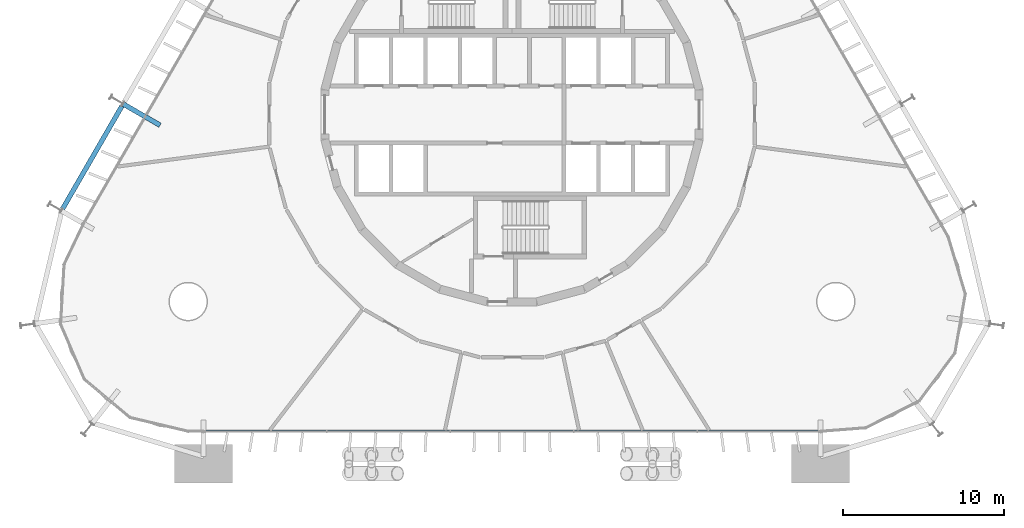
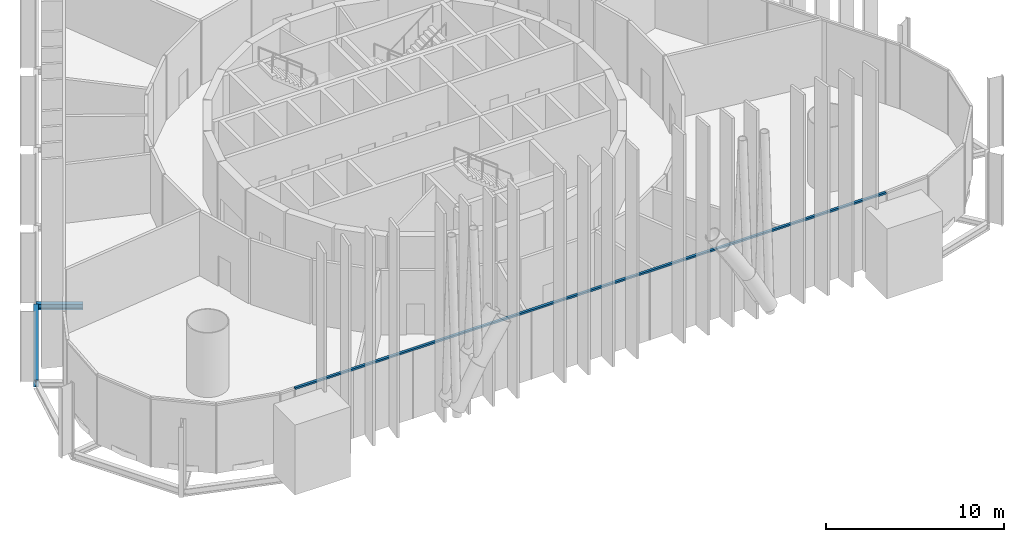
# One storey, part 4 of 17: 2 beams, 1 member, 1 element without a shape of its own.
"""IFC4 building model written with IfcOpenShell, lengths in metres."""

import ifcopenshell
import ifcopenshell.guid

model = None  # the IFC model being written
_history = None  # IfcOwnerHistory: only IFC2X3 demands one
_inside = {}  # id of a spatial element -> (the spatial element, [elements in it])
_under = {}  # id of a project, library or spatial element -> (it, [spatial elements below it])
_declared = {}  # id of a project -> (the project, [libraries it declares])
_typed = {}  # id of a type object -> (the type object, [elements of that type])
_made_of = {}  # id of a material, layer set ... -> (it, [elements and type objects made of it])


def new_model(schema):
    """Start an empty IFC model of exactly this schema.

    Asked for "IFC4X3", IfcOpenShell would pick the latest addendum, in which some entities
    have other attributes; the version numbers below select the first issue.
    IFC2X3 requires an IfcOwnerHistory on every rooted entity: one is made here for all.
    """
    global model, _history
    if schema == "IFC4X3":
        model = ifcopenshell.file(schema_version=(4, 3, 0, 0))
    else:
        model = ifcopenshell.file(schema=schema)
    _inside.clear()
    _under.clear()
    _declared.clear()
    _typed.clear()
    _made_of.clear()
    _history = None
    if model.schema == "IFC2X3":
        org = make("IfcOrganization", Name="unknown")
        user = make(
            "IfcPersonAndOrganization",
            ThePerson=make("IfcPerson", FamilyName="unknown"),
            TheOrganization=org,
        )
        app = make(
            "IfcApplication",
            ApplicationDeveloper=org,
            Version="unknown",
            ApplicationFullName="unknown",
            ApplicationIdentifier="unknown",
        )
        _history = make(
            "IfcOwnerHistory",
            OwningUser=user,
            OwningApplication=app,
            ChangeAction="ADDED",
            CreationDate=0,
        )
    return model


def make(cls, **values):
    """One entity of the class cls with the attributes given. An attribute that is None is left unset."""
    return model.create_entity(
        cls, **{name: value for name, value in values.items() if value is not None}
    )


def rooted(cls, **values):
    """An entity with a GlobalId (a new one), such as an element, a storey or a relation."""
    return make(cls, GlobalId=ifcopenshell.guid.new(), OwnerHistory=_history, **values)


def si_unit(unit_type, name, prefix=None):
    """IfcSIUnit, for example si_unit("LENGTHUNIT", "METRE", prefix="MILLI")."""
    return make("IfcSIUnit", UnitType=unit_type, Prefix=prefix, Name=name)


def assignment(units):
    """IfcUnitAssignment: the units of a project."""
    return None if units is None else make("IfcUnitAssignment", Units=units)


def point(xyz):
    """IfcCartesianPoint."""
    return None if xyz is None else make("IfcCartesianPoint", Coordinates=xyz)


def direction(xyz):
    """IfcDirection."""
    return None if xyz is None else make("IfcDirection", DirectionRatios=xyz)


def frame(location, z_axis=None, x_axis=None):
    """IfcAxis2Placement3D, a coordinate frame: its origin and axes. An axis left out is left unset."""
    return make(
        "IfcAxis2Placement3D",
        Location=point(location),
        Axis=direction(z_axis),
        RefDirection=direction(x_axis),
    )


def frame_2d(location, x_axis=None):
    """IfcAxis2Placement2D, a coordinate frame in the plane: its origin and x axis."""
    return make(
        "IfcAxis2Placement2D", Location=point(location), RefDirection=direction(x_axis)
    )


def origin():
    """The frame at (0, 0, 0) with its axes left unset."""
    return frame((0.0, 0.0, 0.0))


def origin_2d():
    """The frame at (0, 0) in the plane with its x axis left unset."""
    return frame_2d((0.0, 0.0))


def place(relative_to, where):
    """IfcLocalPlacement: puts the frame where relative to a parent placement (None: the world)."""
    return make(
        "IfcLocalPlacement", PlacementRelTo=relative_to, RelativePlacement=where
    )


def context(
    kind, dimensions, precision=None, world=None, true_north=None, identifier=None
):
    """IfcGeometricRepresentationContext, for example the 3D "Model" context."""
    return make(
        "IfcGeometricRepresentationContext",
        ContextIdentifier=identifier,
        ContextType=kind,
        CoordinateSpaceDimension=dimensions,
        Precision=precision,
        WorldCoordinateSystem=world,
        TrueNorth=true_north,
    )


def subcontext(parent, identifier, kind, view, scale=None):
    """IfcGeometricRepresentationSubContext, for example "Body" below "Model"."""
    return make(
        "IfcGeometricRepresentationSubContext",
        ContextIdentifier=identifier,
        ContextType=kind,
        ParentContext=parent,
        TargetScale=scale,
        TargetView=view,
    )


def project(units=None, contexts=None):
    """IfcProject with its units and contexts."""
    return rooted(
        "IfcProject",
        Name="project",
        RepresentationContexts=contexts,
        UnitsInContext=assignment(units),
    )


def spatial(cls, under=None, at=None, **own):
    """A site, building, storey or space (cls), placed at a placement, below another one or the project."""
    s = rooted(cls, ObjectPlacement=at, **own)
    if under is not None:
        _under.setdefault(under.id(), (under, []))[1].append(s)
    return s


def profile(cls, at=None, kind="AREA", **sizes):
    """A parametric profile (cls). Its sizes go by their IFC names, for example OverallWidth=200.0."""
    return make(cls, ProfileType=kind, Position=at, **sizes)


def rectangle(**sizes):
    """IfcRectangleProfileDef."""
    return profile("IfcRectangleProfileDef", **sizes)


def i_section(**sizes):
    """IfcIShapeProfileDef."""
    return profile("IfcIShapeProfileDef", **sizes)


def extrude(swept, where, along, depth):
    """IfcExtrudedAreaSolid: the profile swept, set in the frame where, extruded along a direction by depth."""
    return make(
        "IfcExtrudedAreaSolid",
        SweptArea=swept,
        Position=where,
        ExtrudedDirection=direction(along),
        Depth=depth,
    )


def shape(context_of_items, identifier, shape_type, items):
    """IfcShapeRepresentation: the items that make up one representation, for example the "Body"."""
    return make(
        "IfcShapeRepresentation",
        ContextOfItems=context_of_items,
        RepresentationIdentifier=identifier,
        RepresentationType=shape_type,
        Items=items,
    )


def material(Name=None, Category=None):
    """IfcMaterial."""
    return make("IfcMaterial", Name=Name, Category=Category)


def layer(
    of_material, thickness, ventilated=None, Name=None, Category=None, Priority=None
):
    """IfcMaterialLayer: one layer of a wall or slab, of a material (None: an air gap)."""
    return make(
        "IfcMaterialLayer",
        Material=of_material,
        LayerThickness=thickness,
        IsVentilated=ventilated,
        Name=Name,
        Category=Category,
        Priority=Priority,
    )


def layer_set(layers, Name=None):
    """IfcMaterialLayerSet."""
    return make("IfcMaterialLayerSet", MaterialLayers=layers, LayerSetName=Name)


def material_profile(
    of_material, cross_section, Name=None, Category=None, Priority=None
):
    """IfcMaterialProfile: a cross section and its material."""
    return make(
        "IfcMaterialProfile",
        Name=Name,
        Material=of_material,
        Profile=cross_section,
        Priority=Priority,
        Category=Category,
    )


def profile_set(profiles, Name=None, composite=None):
    """IfcMaterialProfileSet."""
    return make(
        "IfcMaterialProfileSet",
        Name=Name,
        MaterialProfiles=profiles,
        CompositeProfile=composite,
    )


def made_of(thing, what):
    """Note that an element or type object is made of a material, layer set ...; save() writes the relation."""
    if what is not None:
        _made_of.setdefault(what.id(), (what, []))[1].append(thing)
    return thing


def type_object(cls, material=None, **own):
    """A type object (cls), such as IfcWallType, which elements share."""
    return made_of(rooted(cls, **own), material)


def element(
    cls,
    number,
    at=None,
    inside=None,
    cuts=None,
    type_object=None,
    material=None,
    context=None,
    identifier="Body",
    shape_type=None,
    held_by="IfcProductDefinitionShape",
    body=None,
    shapes=None,
    **own,
):
    """One element of the class cls, such as IfcWall. Its Tag is "e" and its number.

    at: its placement. inside: the storey or other place that contains it. cuts: it is an
    opening in that element (IfcRelVoidsElement). A single representation is given by context,
    identifier, shape_type and body (its items); several are given by shapes. held_by: the class
    of the entity that holds the representations. save() writes the other relations.
    """
    e = rooted(cls, Tag="e%d" % number, ObjectPlacement=at, **own)
    if body is not None:
        shapes = [shape(context, identifier, shape_type, body)]
    if shapes is not None:
        e.Representation = make(held_by, Representations=shapes)
    if inside is not None:
        _inside.setdefault(inside.id(), (inside, []))[1].append(e)
    if cuts is not None:
        rooted(
            "IfcRelVoidsElement", RelatingBuildingElement=cuts, RelatedOpeningElement=e
        )
    if type_object is not None:
        _typed.setdefault(type_object.id(), (type_object, []))[1].append(e)
    return made_of(e, material)


def aggregate(whole, parts):
    """IfcRelAggregates: a whole, such as a stair, and the parts it consists of."""
    return rooted("IfcRelAggregates", RelatingObject=whole, RelatedObjects=parts)


def save(model, path):
    """Write the relations noted so far, then the file.

    IfcRelAggregates (storeys below a building ...), IfcRelContainedInSpatialStructure (elements
    in a storey), IfcRelDefinesByType, IfcRelAssociatesMaterial and IfcRelDeclares: one each for
    every whole, place, type object, material and project.
    """
    for whole, parts in _under.values():
        aggregate(whole, parts)
    for where, things in _inside.values():
        rooted(
            "IfcRelContainedInSpatialStructure",
            RelatedElements=things,
            RelatingStructure=where,
        )
    for kind, things in _typed.values():
        rooted("IfcRelDefinesByType", RelatedObjects=things, RelatingType=kind)
    for what, things in _made_of.values():
        rooted("IfcRelAssociatesMaterial", RelatedObjects=things, RelatingMaterial=what)
    for by, libraries in _declared.values():
        rooted("IfcRelDeclares", RelatingContext=by, RelatedDefinitions=libraries)
    model.write(path)


model = new_model("IFC4")

# Units and contexts
model_context = context("Model", 3, precision=1e-05, world=origin(), true_north=direction((0.0, 1.0)))
body_context = subcontext(model_context, "Body", "Model", "MODEL_VIEW")
ifc_project = project(units=[si_unit("LENGTHUNIT", "METRE"), si_unit("AREAUNIT", "SQUARE_METRE"), si_unit("VOLUMEUNIT", "CUBIC_METRE"), si_unit("PLANEANGLEUNIT", "RADIAN"), si_unit("MASSUNIT", "GRAM", prefix="KILO")], contexts=[model_context])

# Site, building, storey
site_placement = place(None, origin())
site = spatial("IfcSite", under=ifc_project, at=site_placement, CompositionType="ELEMENT")
building_placement = place(site_placement, origin())
building = spatial("IfcBuilding", under=site, at=building_placement, Name="Spindle Arch Residences", CompositionType="ELEMENT")
storey_placement = place(building_placement, frame((0.0, 0.0, 18.60009765625)))
storey = spatial("IfcBuildingStorey", under=building, at=storey_placement, Name="L03", CompositionType="ELEMENT", Elevation=18.60009765625)

# Curtain wall, member
ifc_material_1 = material(Name="Aluminium bronze unitised frame with tinted glass", Category="aluminium")
ifc_layer = layer(ifc_material_1, 0.159912109375)
ifc_layer_set = layer_set([ifc_layer], Name="CW-B amenity podium glazed wall")
curtain_wall_type = type_object("IfcCurtainWallType", Name="CW-B amenity podium glazed wall", PredefinedType="NOTDEFINED", material=ifc_layer_set)
curtain_wall_placement = place(storey_placement, origin())
curtain_wall = element("IfcCurtainWall", 1, at=curtain_wall_placement, inside=storey, type_object=curtain_wall_type, Name="CW-B L03 run 6", PredefinedType="NOTDEFINED")
ifc_material_2 = material(Name="Aluminium bronze anodised transom", Category="aluminium")
ifc_material_profile_1 = material_profile(ifc_material_2, rectangle(XDim=0.159912109375, YDim=0.1201171875, at=origin_2d()), Name="TR 120x160")
ifc_profile_set_1 = profile_set([ifc_material_profile_1], Name="Aluminium bronze anodised transom")
member_type = type_object("IfcMemberType", Name="Bronze transom 120x160", PredefinedType="USERDEFINED", material=ifc_profile_set_1)
member_placement = place(storey_placement, frame((-19.170166015625, -19.7099609375, 4.35986328125), z_axis=(1.0, 0.0, 0.0), x_axis=(0.0, 1.0, 0.0)))
member = element("IfcMember", 2, at=member_placement, type_object=member_type, Name="CW-B transom 00", ObjectType="TRANSOM", PredefinedType="USERDEFINED", context=body_context, shape_type="SweptSolid", body=[
    extrude(rectangle(XDim=0.159912109375, YDim=0.1201171875, at=origin_2d()), origin(), (0.0, 0.0, 1.0), 38.34033203125),
])
aggregate(curtain_wall, [member])

# Beams
ifc_material_3 = material(Name="Steel S460ML, intumescent coating R 120", Category="steel")
ifc_material_profile_2 = material_profile(ifc_material_3, i_section(OverallWidth=0.300048828125, OverallDepth=0.5, WebThickness=0.014404296875, FlangeThickness=0.028076171875, FilletRadius=0.027099609375, at=origin_2d()), Name="HEB 500")
ifc_profile_set_2 = profile_set([ifc_material_profile_2], Name="Steel S460ML, intumescent coating R 120")
beam_type_1 = type_object("IfcBeamType", Name="Exoskeleton edge beam HEB 500", PredefinedType="BEAM", material=ifc_profile_set_2)
beam_1_placement = place(storey_placement, frame((-24.25390625, 0.550537109375, -0.630126953125), z_axis=(-0.50002815445, -0.866009148195, 0.0), x_axis=(0.866009148195, -0.50002815445, 0.0)))
element("IfcBeam", 3, at=beam_1_placement, inside=storey, type_object=beam_type_1, Name="Exoskeleton edge beam 18", PredefinedType="BEAM", context=body_context, shape_type="SweptSolid", body=[
    extrude(i_section(OverallWidth=0.300048828125, OverallDepth=0.5, WebThickness=0.014404296875, FlangeThickness=0.028076171875, FilletRadius=0.027099609375, at=origin_2d()), origin(), (0.0, 0.0, 1.0), 7.419921875),
])
ifc_material_4 = material(Name="Steel S460ML, intumescent coating R 120", Category="steel")
ifc_material_profile_3 = material_profile(ifc_material_4, i_section(OverallWidth=0.300048828125, OverallDepth=0.389892578125, WebThickness=0.010986328125, FlangeThickness=0.01904296875, FilletRadius=0.027099609375, at=origin_2d()), Name="HEA 400")
ifc_profile_set_3 = profile_set([ifc_material_profile_3], Name="Steel S460ML, intumescent coating R 120")
beam_type_2 = type_object("IfcBeamType", Name="Floor outrigger HEA 400", PredefinedType="BEAM", material=ifc_profile_set_3)
beam_2_placement = place(storey_placement, frame((-24.18896484375, 0.6630859375, -0.5751953125), z_axis=(0.866029095148, -0.499993606316, 0.0), x_axis=(0.499993606316, 0.866029095148, 0.0)))
element("IfcBeam", 4, at=beam_2_placement, inside=storey, type_object=beam_type_2, Name="Floor outrigger 18", PredefinedType="BEAM", context=body_context, shape_type="SweptSolid", body=[
    extrude(i_section(OverallWidth=0.300048828125, OverallDepth=0.389892578125, WebThickness=0.010986328125, FlangeThickness=0.01904296875, FilletRadius=0.027099609375, at=origin_2d()), origin(), (0.0, 0.0, 1.0), 2.64990234375),
])

save(model, "model.ifc")
